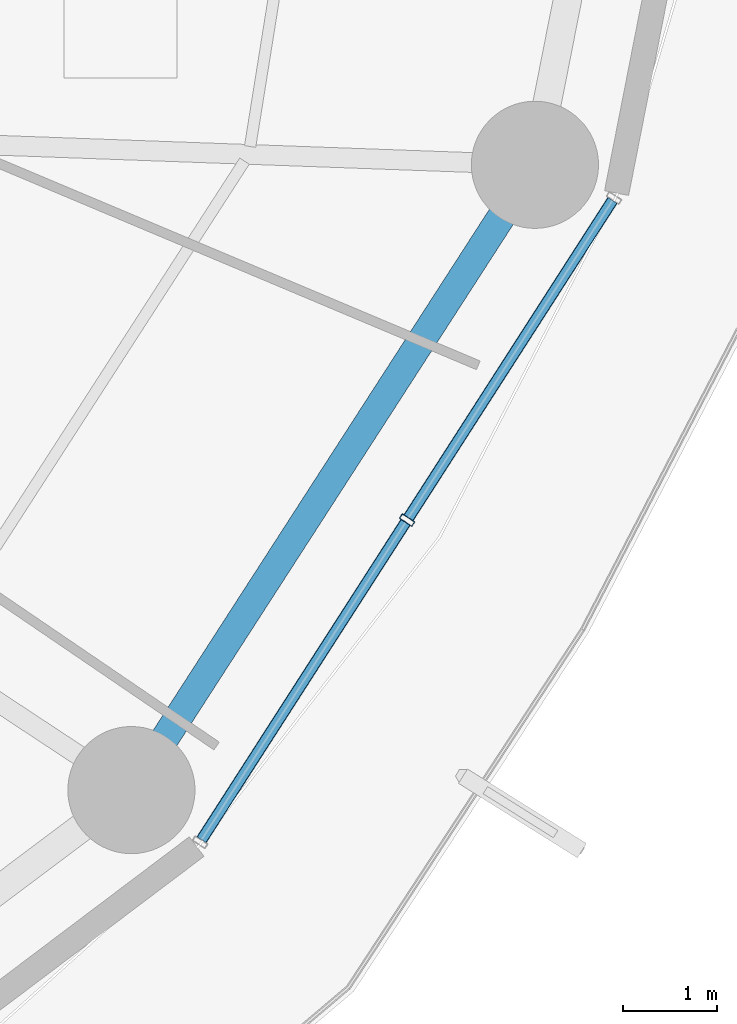
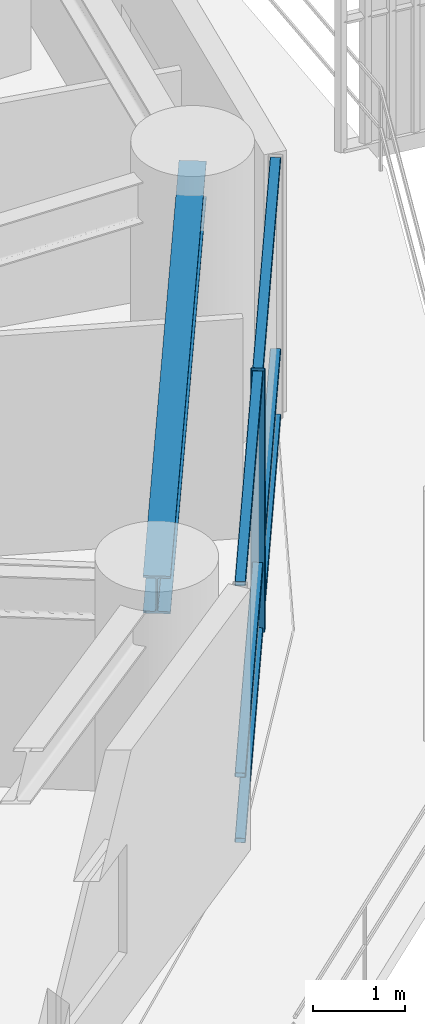
# One storey, part 11 of 34: 7 members, 1 beam, 1 element without a shape of its own.
"""IFC4 building model written with IfcOpenShell, lengths in metres."""

from ifc_helpers import new_model, si_unit, direction, frame, origin, origin_2d, place, context, subcontext, project, spatial, hollow_rectangle, i_section, extrude, material, layer, layer_set, material_profile, profile_set, type_object, element, aggregate, save


model = new_model("IFC4")

# Units and contexts
model_context = context("Model", 3, precision=1e-05, world=origin(), true_north=direction((0.0, 1.0)))
body_context = subcontext(model_context, "Body", "Model", "MODEL_VIEW")
ifc_project = project(units=[si_unit("LENGTHUNIT", "METRE"), si_unit("AREAUNIT", "SQUARE_METRE"), si_unit("VOLUMEUNIT", "CUBIC_METRE"), si_unit("PLANEANGLEUNIT", "RADIAN"), si_unit("MASSUNIT", "GRAM", prefix="KILO")], contexts=[model_context])

# Site, building, storey
site_placement = place(None, origin())
site = spatial("IfcSite", under=ifc_project, at=site_placement, CompositionType="ELEMENT")
building_placement = place(site_placement, origin())
building = spatial("IfcBuilding", under=site, at=building_placement, Name="Kelanora Arch Commons", CompositionType="ELEMENT")
storey_placement = place(building_placement, frame((0.0, 0.0, 76.35009765625)))
storey = spatial("IfcBuildingStorey", under=building, at=storey_placement, Name="L19", CompositionType="ELEMENT", Elevation=76.35009765625)

# Beam
ifc_material_1 = material(Name="Steel S355", Category="steel")
ifc_material_profile_1 = material_profile(ifc_material_1, i_section(OverallWidth=0.300048828125, OverallDepth=0.5, WebThickness=0.014404296875, FlangeThickness=0.028076171875, FilletRadius=0.027099609375, at=origin_2d()), Name="HEB500")
ifc_profile_set_1 = profile_set([ifc_material_profile_1], Name="Steel S355")
beam_type = type_object("IfcBeamType", Name="BM-SPN-Z2", PredefinedType="SPANDREL", material=ifc_profile_set_1)
beam_placement = place(storey_placement, frame((92.906005859375, 43.80712890625, 3.239990234375), z_axis=(0.542221144054, 0.840235818649, 0.0), x_axis=(-0.840235818649, 0.542221144054, 0.0)))
element("IfcBeam", 1, at=beam_placement, inside=storey, type_object=beam_type, Name="Perimeter Spandrel Beam BS-32 L19", PredefinedType="SPANDREL", context=body_context, shape_type="SweptSolid", body=[
    extrude(i_section(OverallWidth=0.300048828125, OverallDepth=0.5, WebThickness=0.014404296875, FlangeThickness=0.028076171875, FilletRadius=0.027099609375, at=origin_2d()), origin(), (0.0, 0.0, 1.0), 7.90380859375),
])

# Curtain wall, members
ifc_material_2 = material(Name="Terracotta ceramic-fritted low-E glass and aluminium", Category="masonry")
ifc_layer = layer(ifc_material_2, 0.159912109375)
ifc_layer_set = layer_set([ifc_layer], Name="Terracotta ceramic-fritted low-E glass and aluminium")
curtain_wall_type = type_object("IfcCurtainWallType", Name="CW-SYS-01", PredefinedType="NOTDEFINED", material=ifc_layer_set)
curtain_wall_placement = place(storey_placement, origin())
curtain_wall = element("IfcCurtainWall", 2, at=curtain_wall_placement, inside=storey, type_object=curtain_wall_type, Name="Unitised Curtain Wall L19-B16", PredefinedType="NOTDEFINED")
ifc_material_3 = material(Name="Powder-coated aluminium terracotta", Category="masonry")
ifc_material_profile_2 = material_profile(ifc_material_3, hollow_rectangle(XDim=0.159912109375, YDim=0.06005859375, WallThickness=0.0048828125, InnerFilletRadius=0.0048828125, OuterFilletRadius=0.010009765625, at=origin_2d()), Name="CWM160x60")
ifc_profile_set_2 = profile_set([ifc_material_profile_2], Name="Powder-coated aluminium terracotta")
member_type_1 = type_object("IfcMemberType", Name="CWM-STD", PredefinedType="MULLION", material=ifc_profile_set_2)
member_1_placement = place(storey_placement, frame((95.83349609375, 46.6748046875, 0.0), z_axis=(0.0, 0.0, 1.0), x_axis=(-0.841268883088, 0.540616931244, 0.0)))
member_1 = element("IfcMember", 3, at=member_1_placement, type_object=member_type_1, Name="CW-01 mullion 2", PredefinedType="MULLION", context=body_context, shape_type="SweptSolid", body=[
    extrude(hollow_rectangle(XDim=0.159912109375, YDim=0.06005859375, WallThickness=0.0048828125, InnerFilletRadius=0.0048828125, OuterFilletRadius=0.010009765625, at=origin_2d()), origin(), (0.0, 0.0, 1.0), 3.474853515625),
])
ifc_material_profile_3 = material_profile(ifc_material_3, hollow_rectangle(XDim=0.1201171875, YDim=0.06005859375, WallThickness=0.0048828125, InnerFilletRadius=0.0048828125, OuterFilletRadius=0.010009765625, at=origin_2d()), Name="CWT120x60")
ifc_profile_set_3 = profile_set([ifc_material_profile_3], Name="Powder-coated aluminium terracotta")
member_type_2 = type_object("IfcMemberType", Name="CWT-STD", PredefinedType="USERDEFINED", material=ifc_profile_set_3)
member_2_placement = place(storey_placement, frame((93.651123046875, 43.279052734375, 0.02978515625), z_axis=(0.540643629734, 0.841251725483, 0.0), x_axis=(-0.841251725483, 0.540643629734, 0.0)))
member_2 = element("IfcMember", 4, at=member_2_placement, type_object=member_type_2, Name="CW-01 transom 1.1", ObjectType="TRANSOM", PredefinedType="USERDEFINED", context=body_context, shape_type="SweptSolid", body=[
    extrude(hollow_rectangle(XDim=0.1201171875, YDim=0.06005859375, WallThickness=0.0048828125, InnerFilletRadius=0.0048828125, OuterFilletRadius=0.010009765625, at=origin_2d()), origin(), (0.0, 0.0, 1.0), 4.00634765625),
])
member_3_placement = place(storey_placement, frame((93.651123046875, 43.279052734375, 0.89990234375), z_axis=(0.540643629734, 0.841251725483, 0.0), x_axis=(-0.841251725483, 0.540643629734, 0.0)))
member_3 = element("IfcMember", 5, at=member_3_placement, type_object=member_type_2, Name="CW-01 transom 1.2", ObjectType="TRANSOM", PredefinedType="USERDEFINED", context=body_context, shape_type="SweptSolid", body=[
    extrude(hollow_rectangle(XDim=0.1201171875, YDim=0.06005859375, WallThickness=0.0048828125, InnerFilletRadius=0.0048828125, OuterFilletRadius=0.010009765625, at=origin_2d()), origin(), (0.0, 0.0, 1.0), 4.00634765625),
])
member_4_placement = place(storey_placement, frame((93.651123046875, 43.279052734375, 3.44482421875), z_axis=(0.540643629734, 0.841251725483, 0.0), x_axis=(-0.841251725483, 0.540643629734, 0.0)))
member_4 = element("IfcMember", 6, at=member_4_placement, type_object=member_type_2, Name="CW-01 transom 1.3", ObjectType="TRANSOM", PredefinedType="USERDEFINED", context=body_context, shape_type="SweptSolid", body=[
    extrude(hollow_rectangle(XDim=0.1201171875, YDim=0.06005859375, WallThickness=0.0048828125, InnerFilletRadius=0.0048828125, OuterFilletRadius=0.010009765625, at=origin_2d()), origin(), (0.0, 0.0, 1.0), 4.00634765625),
])
member_5_placement = place(storey_placement, frame((95.849609375, 46.699951171875, 0.02978515625), z_axis=(0.540643629734, 0.841251725483, 0.0), x_axis=(-0.841251725483, 0.540643629734, 0.0)))
member_5 = element("IfcMember", 7, at=member_5_placement, type_object=member_type_2, Name="CW-01 transom 2.1", ObjectType="TRANSOM", PredefinedType="USERDEFINED", context=body_context, shape_type="SweptSolid", body=[
    extrude(hollow_rectangle(XDim=0.1201171875, YDim=0.06005859375, WallThickness=0.0048828125, InnerFilletRadius=0.0048828125, OuterFilletRadius=0.010009765625, at=origin_2d()), origin(), (0.0, 0.0, 1.0), 4.00634765625),
])
member_6_placement = place(storey_placement, frame((95.849609375, 46.699951171875, 0.89990234375), z_axis=(0.540643629734, 0.841251725483, 0.0), x_axis=(-0.841251725483, 0.540643629734, 0.0)))
member_6 = element("IfcMember", 8, at=member_6_placement, type_object=member_type_2, Name="CW-01 transom 2.2", ObjectType="TRANSOM", PredefinedType="USERDEFINED", context=body_context, shape_type="SweptSolid", body=[
    extrude(hollow_rectangle(XDim=0.1201171875, YDim=0.06005859375, WallThickness=0.0048828125, InnerFilletRadius=0.0048828125, OuterFilletRadius=0.010009765625, at=origin_2d()), origin(), (0.0, 0.0, 1.0), 4.00634765625),
])
member_7_placement = place(storey_placement, frame((95.849609375, 46.699951171875, 3.44482421875), z_axis=(0.540643629734, 0.841251725483, 0.0), x_axis=(-0.841251725483, 0.540643629734, 0.0)))
member_7 = element("IfcMember", 9, at=member_7_placement, type_object=member_type_2, Name="CW-01 transom 2.3", ObjectType="TRANSOM", PredefinedType="USERDEFINED", context=body_context, shape_type="SweptSolid", body=[
    extrude(hollow_rectangle(XDim=0.1201171875, YDim=0.06005859375, WallThickness=0.0048828125, InnerFilletRadius=0.0048828125, OuterFilletRadius=0.010009765625, at=origin_2d()), origin(), (0.0, 0.0, 1.0), 4.00634765625),
])
aggregate(curtain_wall, [member_1, member_2, member_3, member_4, member_5, member_6, member_7])

save(model, "model.ifc")
